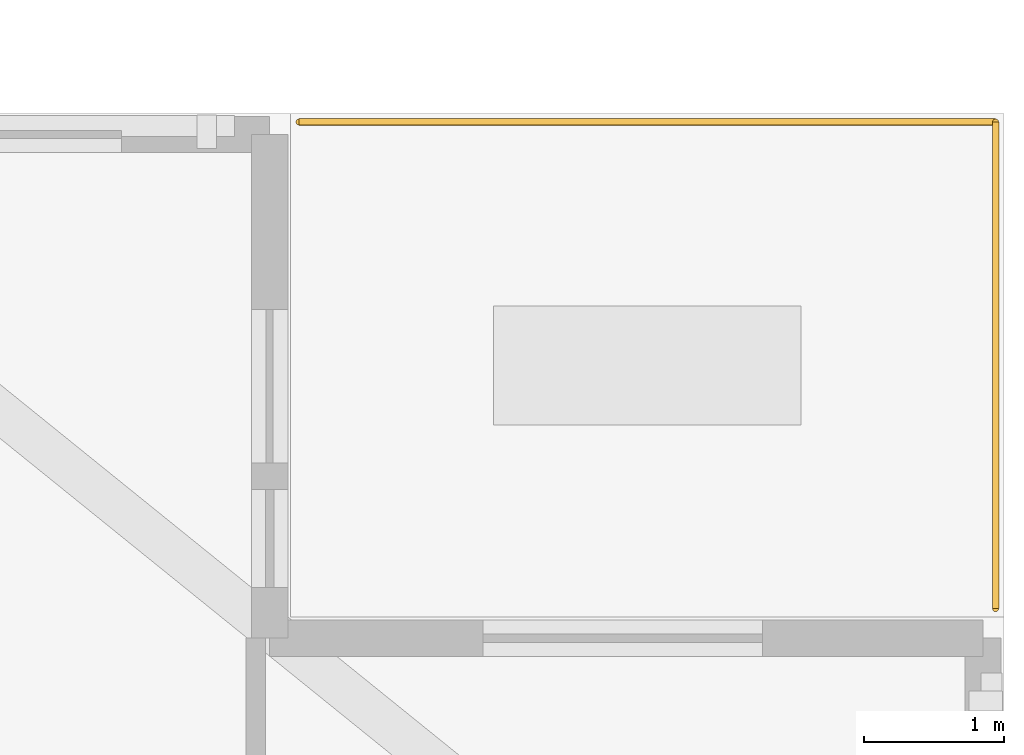
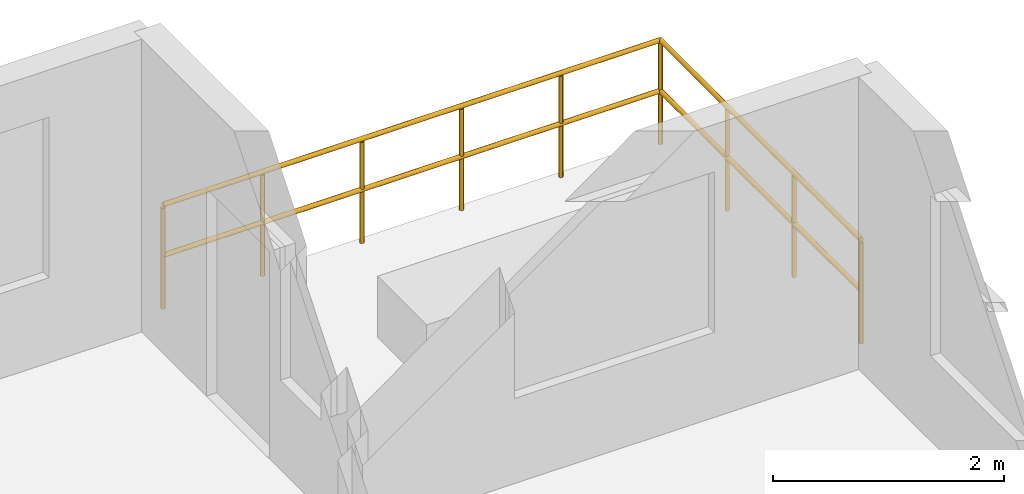
# One storey, part 15 of 15: 2 railings.
"""IFC4 building model written with IfcOpenShell, lengths in metres."""

from ifc_helpers import new_model, si_unit, direction, frame, origin, origin_2d, place, context, subcontext, project, spatial, circle, extrude, material, type_object, element, save


model = new_model("IFC4")

# Units and contexts
model_context = context("Model", 3, precision=1e-05, world=origin(), true_north=direction((0.0, 1.0)))
body_context = subcontext(model_context, "Body", "Model", "MODEL_VIEW")
ifc_project = project(units=[si_unit("LENGTHUNIT", "METRE"), si_unit("AREAUNIT", "SQUARE_METRE"), si_unit("VOLUMEUNIT", "CUBIC_METRE"), si_unit("PLANEANGLEUNIT", "RADIAN"), si_unit("MASSUNIT", "GRAM", prefix="KILO")], contexts=[model_context])

# Site, building, storey
site_placement = place(None, origin())
site = spatial("IfcSite", under=ifc_project, at=site_placement, CompositionType="ELEMENT")
building_placement = place(site_placement, origin())
building = spatial("IfcBuilding", under=site, at=building_placement, Name="Tarnavaz Court Tower", CompositionType="ELEMENT")
storey_placement = place(building_placement, frame((0.0, 0.0, 186.89990234375)))
storey = spatial("IfcBuildingStorey", under=building, at=storey_placement, Name="L50", CompositionType="ELEMENT", Elevation=186.89990234375)

# Railings
ifc_material = material(Name="Anodised Aluminium 6063-T6 and Laminated Safety Glass", Category="aluminium")
railing_type = type_object("IfcRailingType", Name="RL-BAL-1120", PredefinedType="BALUSTRADE", material=ifc_material)
railing_1_placement = place(storey_placement, frame((23.639892578125, 17.4599609375, 0.0)))
element("IfcRailing", 1, at=railing_1_placement, inside=storey, type_object=railing_type, Name="L50 Terrace 1 E Perimeter Balustrade", PredefinedType="BALUSTRADE", context=body_context, shape_type="SweptSolid", body=[
    extrude(circle(Radius=0.02392578125, at=origin_2d()), frame((0.0, 0.0, 1.09619140625), z_axis=(0.0, 1.0, 0.0), x_axis=(-1.0, 0.0, 0.0)), (0.0, 0.0, 1.0), 3.47998046875),
    extrude(circle(Radius=0.02392578125, at=origin_2d()), frame((0.0, 0.0, 0.56005859375), z_axis=(0.0, 1.0, 0.0), x_axis=(-1.0, 0.0, 0.0)), (0.0, 0.0, 1.0), 3.47998046875),
    extrude(circle(Radius=0.02099609375, at=origin_2d()), origin(), (0.0, 0.0, 1.0), 1.072021484375),
    extrude(circle(Radius=0.02099609375, at=origin_2d()), frame((0.0, 1.159912109375, 0.0)), (0.0, 0.0, 1.0), 1.072021484375),
    extrude(circle(Radius=0.02099609375, at=origin_2d()), frame((0.0, 2.320068359375, 0.0)), (0.0, 0.0, 1.0), 1.072021484375),
    extrude(circle(Radius=0.02099609375, at=origin_2d()), frame((0.0, 3.47998046875, 0.0)), (0.0, 0.0, 1.0), 1.072021484375),
])
railing_2_placement = place(storey_placement, frame((23.639892578125, 20.93994140625, 0.0)))
element("IfcRailing", 2, at=railing_2_placement, inside=storey, type_object=railing_type, Name="L50 Terrace 1 N Perimeter Balustrade", PredefinedType="BALUSTRADE", context=body_context, shape_type="SweptSolid", body=[
    extrude(circle(Radius=0.02392578125, at=origin_2d()), frame((0.0, 0.0, 1.09619140625), z_axis=(-1.0, 0.0, 0.0), x_axis=(0.0, -1.0, 0.0)), (0.0, 0.0, 1.0), 4.97998046875),
    extrude(circle(Radius=0.02392578125, at=origin_2d()), frame((0.0, 0.0, 0.56005859375), z_axis=(-1.0, 0.0, 0.0), x_axis=(0.0, -1.0, 0.0)), (0.0, 0.0, 1.0), 4.97998046875),
    extrude(circle(Radius=0.02099609375, at=origin_2d()), origin(), (0.0, 0.0, 1.0), 1.072021484375),
    extrude(circle(Radius=0.02099609375, at=origin_2d()), frame((-0.99609375, 0.0, 0.0)), (0.0, 0.0, 1.0), 1.072021484375),
    extrude(circle(Radius=0.02099609375, at=origin_2d()), frame((-1.991943359375, 0.0, 0.0)), (0.0, 0.0, 1.0), 1.072021484375),
    extrude(circle(Radius=0.02099609375, at=origin_2d()), frame((-2.988037109375, 0.0, 0.0)), (0.0, 0.0, 1.0), 1.072021484375),
    extrude(circle(Radius=0.02099609375, at=origin_2d()), frame((-3.98388671875, 0.0, 0.0)), (0.0, 0.0, 1.0), 1.072021484375),
    extrude(circle(Radius=0.02099609375, at=origin_2d()), frame((-4.97998046875, 0.0, 0.0)), (0.0, 0.0, 1.0), 1.072021484375),
])

save(model, "model.ifc")
